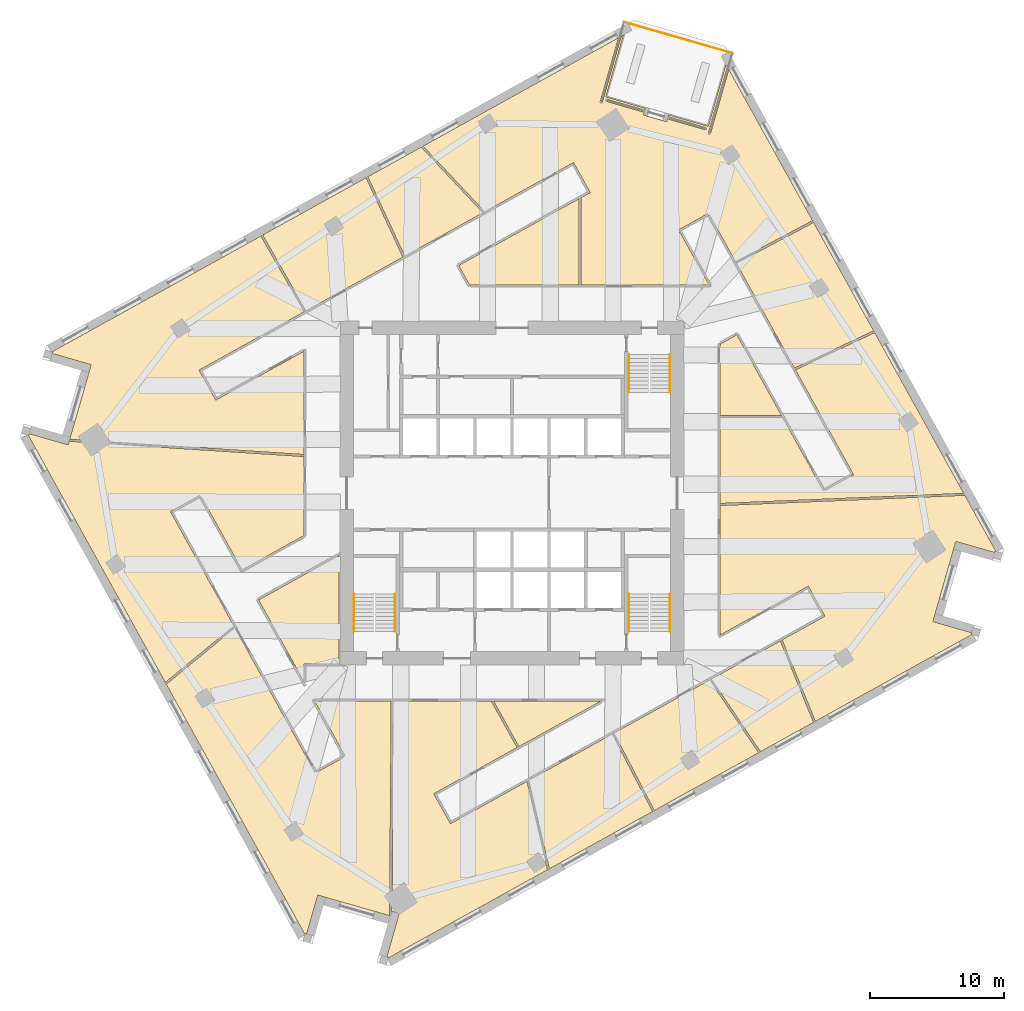
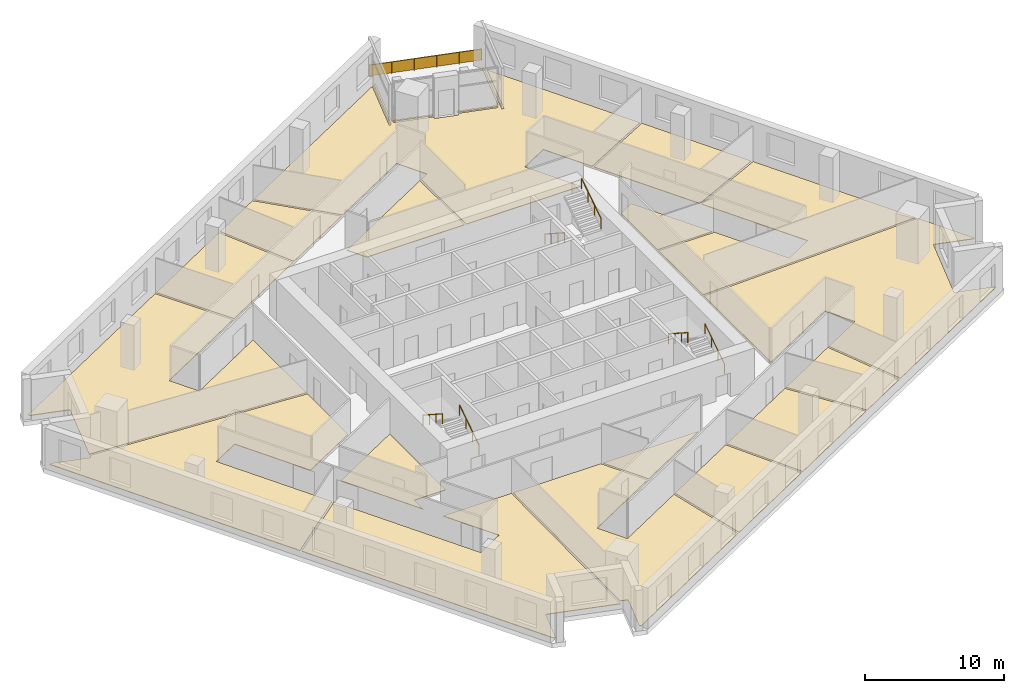
# One storey, part 11 of 12: 17 coverings, 7 railings.
"""IFC4 building model written with IfcOpenShell, lengths in metres."""

import ifcopenshell
import ifcopenshell.guid

model = None  # the IFC model being written
_history = None  # IfcOwnerHistory: only IFC2X3 demands one
_inside = {}  # id of a spatial element -> (the spatial element, [elements in it])
_under = {}  # id of a project, library or spatial element -> (it, [spatial elements below it])
_declared = {}  # id of a project -> (the project, [libraries it declares])
_typed = {}  # id of a type object -> (the type object, [elements of that type])
_made_of = {}  # id of a material, layer set ... -> (it, [elements and type objects made of it])


def new_model(schema):
    """Start an empty IFC model of exactly this schema.

    Asked for "IFC4X3", IfcOpenShell would pick the latest addendum, in which some entities
    have other attributes; the version numbers below select the first issue.
    IFC2X3 requires an IfcOwnerHistory on every rooted entity: one is made here for all.
    """
    global model, _history
    if schema == "IFC4X3":
        model = ifcopenshell.file(schema_version=(4, 3, 0, 0))
    else:
        model = ifcopenshell.file(schema=schema)
    _inside.clear()
    _under.clear()
    _declared.clear()
    _typed.clear()
    _made_of.clear()
    _history = None
    if model.schema == "IFC2X3":
        org = make("IfcOrganization", Name="unknown")
        user = make(
            "IfcPersonAndOrganization",
            ThePerson=make("IfcPerson", FamilyName="unknown"),
            TheOrganization=org,
        )
        app = make(
            "IfcApplication",
            ApplicationDeveloper=org,
            Version="unknown",
            ApplicationFullName="unknown",
            ApplicationIdentifier="unknown",
        )
        _history = make(
            "IfcOwnerHistory",
            OwningUser=user,
            OwningApplication=app,
            ChangeAction="ADDED",
            CreationDate=0,
        )
    return model


def make(cls, **values):
    """One entity of the class cls with the attributes given. An attribute that is None is left unset."""
    return model.create_entity(
        cls, **{name: value for name, value in values.items() if value is not None}
    )


def rooted(cls, **values):
    """An entity with a GlobalId (a new one), such as an element, a storey or a relation."""
    return make(cls, GlobalId=ifcopenshell.guid.new(), OwnerHistory=_history, **values)


def si_unit(unit_type, name, prefix=None):
    """IfcSIUnit, for example si_unit("LENGTHUNIT", "METRE", prefix="MILLI")."""
    return make("IfcSIUnit", UnitType=unit_type, Prefix=prefix, Name=name)


def assignment(units):
    """IfcUnitAssignment: the units of a project."""
    return None if units is None else make("IfcUnitAssignment", Units=units)


def point(xyz):
    """IfcCartesianPoint."""
    return None if xyz is None else make("IfcCartesianPoint", Coordinates=xyz)


def direction(xyz):
    """IfcDirection."""
    return None if xyz is None else make("IfcDirection", DirectionRatios=xyz)


def frame(location, z_axis=None, x_axis=None):
    """IfcAxis2Placement3D, a coordinate frame: its origin and axes. An axis left out is left unset."""
    return make(
        "IfcAxis2Placement3D",
        Location=point(location),
        Axis=direction(z_axis),
        RefDirection=direction(x_axis),
    )


def frame_2d(location, x_axis=None):
    """IfcAxis2Placement2D, a coordinate frame in the plane: its origin and x axis."""
    return make(
        "IfcAxis2Placement2D", Location=point(location), RefDirection=direction(x_axis)
    )


def origin():
    """The frame at (0, 0, 0) with its axes left unset."""
    return frame((0.0, 0.0, 0.0))


def origin_2d():
    """The frame at (0, 0) in the plane with its x axis left unset."""
    return frame_2d((0.0, 0.0))


def place(relative_to, where):
    """IfcLocalPlacement: puts the frame where relative to a parent placement (None: the world)."""
    return make(
        "IfcLocalPlacement", PlacementRelTo=relative_to, RelativePlacement=where
    )


def context(
    kind, dimensions, precision=None, world=None, true_north=None, identifier=None
):
    """IfcGeometricRepresentationContext, for example the 3D "Model" context."""
    return make(
        "IfcGeometricRepresentationContext",
        ContextIdentifier=identifier,
        ContextType=kind,
        CoordinateSpaceDimension=dimensions,
        Precision=precision,
        WorldCoordinateSystem=world,
        TrueNorth=true_north,
    )


def subcontext(parent, identifier, kind, view, scale=None):
    """IfcGeometricRepresentationSubContext, for example "Body" below "Model"."""
    return make(
        "IfcGeometricRepresentationSubContext",
        ContextIdentifier=identifier,
        ContextType=kind,
        ParentContext=parent,
        TargetScale=scale,
        TargetView=view,
    )


def project(units=None, contexts=None):
    """IfcProject with its units and contexts."""
    return rooted(
        "IfcProject",
        Name="project",
        RepresentationContexts=contexts,
        UnitsInContext=assignment(units),
    )


def spatial(cls, under=None, at=None, **own):
    """A site, building, storey or space (cls), placed at a placement, below another one or the project."""
    s = rooted(cls, ObjectPlacement=at, **own)
    if under is not None:
        _under.setdefault(under.id(), (under, []))[1].append(s)
    return s


def polyline(points):
    """IfcPolyline through the points."""
    return make("IfcPolyline", Points=[point(p) for p in points])


def profile(cls, at=None, kind="AREA", **sizes):
    """A parametric profile (cls). Its sizes go by their IFC names, for example OverallWidth=200.0."""
    return make(cls, ProfileType=kind, Position=at, **sizes)


def rectangle(**sizes):
    """IfcRectangleProfileDef."""
    return profile("IfcRectangleProfileDef", **sizes)


def circle(**sizes):
    """IfcCircleProfileDef."""
    return profile("IfcCircleProfileDef", **sizes)


def outline(outer, holes=None, kind="AREA"):
    """IfcArbitraryClosedProfileDef: a profile drawn as a closed curve; with holes, ...WithVoids."""
    if holes is None:
        return make("IfcArbitraryClosedProfileDef", ProfileType=kind, OuterCurve=outer)
    return make(
        "IfcArbitraryProfileDefWithVoids",
        ProfileType=kind,
        OuterCurve=outer,
        InnerCurves=holes,
    )


def extrude(swept, where, along, depth):
    """IfcExtrudedAreaSolid: the profile swept, set in the frame where, extruded along a direction by depth."""
    return make(
        "IfcExtrudedAreaSolid",
        SweptArea=swept,
        Position=where,
        ExtrudedDirection=direction(along),
        Depth=depth,
    )


def shape(context_of_items, identifier, shape_type, items):
    """IfcShapeRepresentation: the items that make up one representation, for example the "Body"."""
    return make(
        "IfcShapeRepresentation",
        ContextOfItems=context_of_items,
        RepresentationIdentifier=identifier,
        RepresentationType=shape_type,
        Items=items,
    )


def material(Name=None, Category=None):
    """IfcMaterial."""
    return make("IfcMaterial", Name=Name, Category=Category)


def layer(
    of_material, thickness, ventilated=None, Name=None, Category=None, Priority=None
):
    """IfcMaterialLayer: one layer of a wall or slab, of a material (None: an air gap)."""
    return make(
        "IfcMaterialLayer",
        Material=of_material,
        LayerThickness=thickness,
        IsVentilated=ventilated,
        Name=Name,
        Category=Category,
        Priority=Priority,
    )


def layer_set(layers, Name=None):
    """IfcMaterialLayerSet."""
    return make("IfcMaterialLayerSet", MaterialLayers=layers, LayerSetName=Name)


def made_of(thing, what):
    """Note that an element or type object is made of a material, layer set ...; save() writes the relation."""
    if what is not None:
        _made_of.setdefault(what.id(), (what, []))[1].append(thing)
    return thing


def type_object(cls, material=None, **own):
    """A type object (cls), such as IfcWallType, which elements share."""
    return made_of(rooted(cls, **own), material)


def element(
    cls,
    number,
    at=None,
    inside=None,
    cuts=None,
    type_object=None,
    material=None,
    context=None,
    identifier="Body",
    shape_type=None,
    held_by="IfcProductDefinitionShape",
    body=None,
    shapes=None,
    **own,
):
    """One element of the class cls, such as IfcWall. Its Tag is "e" and its number.

    at: its placement. inside: the storey or other place that contains it. cuts: it is an
    opening in that element (IfcRelVoidsElement). A single representation is given by context,
    identifier, shape_type and body (its items); several are given by shapes. held_by: the class
    of the entity that holds the representations. save() writes the other relations.
    """
    e = rooted(cls, Tag="e%d" % number, ObjectPlacement=at, **own)
    if body is not None:
        shapes = [shape(context, identifier, shape_type, body)]
    if shapes is not None:
        e.Representation = make(held_by, Representations=shapes)
    if inside is not None:
        _inside.setdefault(inside.id(), (inside, []))[1].append(e)
    if cuts is not None:
        rooted(
            "IfcRelVoidsElement", RelatingBuildingElement=cuts, RelatedOpeningElement=e
        )
    if type_object is not None:
        _typed.setdefault(type_object.id(), (type_object, []))[1].append(e)
    return made_of(e, material)


def aggregate(whole, parts):
    """IfcRelAggregates: a whole, such as a stair, and the parts it consists of."""
    return rooted("IfcRelAggregates", RelatingObject=whole, RelatedObjects=parts)


def save(model, path):
    """Write the relations noted so far, then the file.

    IfcRelAggregates (storeys below a building ...), IfcRelContainedInSpatialStructure (elements
    in a storey), IfcRelDefinesByType, IfcRelAssociatesMaterial and IfcRelDeclares: one each for
    every whole, place, type object, material and project.
    """
    for whole, parts in _under.values():
        aggregate(whole, parts)
    for where, things in _inside.values():
        rooted(
            "IfcRelContainedInSpatialStructure",
            RelatedElements=things,
            RelatingStructure=where,
        )
    for kind, things in _typed.values():
        rooted("IfcRelDefinesByType", RelatedObjects=things, RelatingType=kind)
    for what, things in _made_of.values():
        rooted("IfcRelAssociatesMaterial", RelatedObjects=things, RelatingMaterial=what)
    for by, libraries in _declared.values():
        rooted("IfcRelDeclares", RelatingContext=by, RelatedDefinitions=libraries)
    model.write(path)


model = new_model("IFC4")

# Units and contexts
model_context = context("Model", 3, precision=1e-05, world=origin(), true_north=direction((0.0, 1.0)))
body_context = subcontext(model_context, "Body", "Model", "MODEL_VIEW")
ifc_project = project(units=[si_unit("LENGTHUNIT", "METRE"), si_unit("AREAUNIT", "SQUARE_METRE"), si_unit("VOLUMEUNIT", "CUBIC_METRE"), si_unit("PLANEANGLEUNIT", "RADIAN"), si_unit("MASSUNIT", "GRAM", prefix="KILO")], contexts=[model_context])

# Site, building, storey
site_placement = place(None, origin())
site = spatial("IfcSite", under=ifc_project, at=site_placement, CompositionType="ELEMENT")
building_placement = place(site_placement, origin())
building = spatial("IfcBuilding", under=site, at=building_placement, Name="Dilmun Exchange Tower", CompositionType="ELEMENT")
storey_placement = place(building_placement, frame((0.0, 0.0, 139.699951171875)))
storey = spatial("IfcBuildingStorey", under=building, at=storey_placement, Name="L32", CompositionType="ELEMENT", Elevation=139.699951171875)

# Coverings
ifc_material_1 = material(Name="Carpet floor finish 50")
ifc_layer_1 = layer(ifc_material_1, 0.050048828125)
ifc_layer_set_1 = layer_set([ifc_layer_1], Name="Carpet floor finish 50")
covering_type_1 = type_object("IfcCoveringType", Name="Carpet floor finish 50", PredefinedType="FLOORING", material=ifc_layer_set_1)
covering_1_placement = place(storey_placement, origin())
element("IfcCovering", 1, at=covering_1_placement, inside=storey, type_object=covering_type_1, Name="Carpet floor finish 50 Open office 1", PredefinedType="FLOORING", context=body_context, shape_type="SweptSolid", body=[
    extrude(outline(polyline([(-15.47509765625, 2.724365234375), (-15.47509765625, -3.157470703125), (-20.093017578125, -5.71728515625), (-23.18701171875, -0.135498046875), (-25.4169921875, -1.371337890625), (-20.697265625, -9.886474609375), (-25.802001953125, -14.09033203125), (-36.01611328125, 4.33642578125), (-35.947998046875, 4.31689453125), (-35.94775390625, 4.31689453125), (-35.947509765625, 4.31689453125), (-35.947509765625, 4.31689453125), (-35.947265625, 4.31689453125), (-35.947021484375, 4.31689453125), (-35.94677734375, 4.31689453125), (-35.946533203125, 4.31689453125), (-35.946533203125, 4.317138671875), (-35.9462890625, 4.317138671875), (-35.946044921875, 4.3173828125), (-35.946044921875, 4.3173828125), (-35.94580078125, 4.317626953125), (-35.94580078125, 4.31787109375), (-35.94580078125, 4.31787109375), (-35.945556640625, 4.318115234375), (-35.945556640625, 4.318359375), (-35.915283203125, 4.42333984375), (-33.033447265625, 3.596923828125), (-33.033203125, 3.596923828125), (-33.033203125, 3.596923828125), (-33.032958984375, 3.596923828125), (-33.03271484375, 3.596923828125), (-33.032470703125, 3.596923828125), (-33.0322265625, 3.596923828125), (-33.031982421875, 3.59716796875), (-33.031982421875, 3.59716796875), (-33.03173828125, 3.597412109375), (-33.031494140625, 3.597412109375), (-33.031494140625, 3.597412109375), (-33.03125, 3.59765625), (-33.03125, 3.597900390625), (-33.031005859375, 3.597900390625), (-33.031005859375, 3.59814453125), (-33.031005859375, 3.598388671875), (-32.9560546875, 3.85986328125), (-15.47509765625, 2.724365234375)])), origin(), (0.0, 0.0, 1.0), 0.050048828125),
])
covering_2_placement = place(storey_placement, origin())
element("IfcCovering", 2, at=covering_2_placement, inside=storey, type_object=covering_type_1, Name="Carpet floor finish 50 Analyst office 1", PredefinedType="FLOORING", context=body_context, shape_type="SweptSolid", body=[
    extrude(outline(polyline([(-15.459228515625, 13.4921875), (-23.288818359375, 9.152099609375), (-22.052490234375, 6.921875), (-15.47509765625, 10.568115234375), (-15.47509765625, 2.87451171875), (-32.91357421875, 4.007568359375), (-32.865478515625, 4.175048828125), (-32.865478515625, 4.17529296875), (-32.865478515625, 4.17529296875), (-31.4873046875, 8.9814453125), (-31.4873046875, 8.981689453125), (-31.4873046875, 8.981689453125), (-31.4873046875, 8.98193359375), (-31.322021484375, 9.55810546875), (-31.322021484375, 9.558349609375), (-31.322021484375, 9.55859375), (-31.322021484375, 9.558837890625), (-31.322021484375, 9.55908203125), (-31.322021484375, 9.55908203125), (-31.322021484375, 9.559326171875), (-31.322265625, 9.5595703125), (-31.322265625, 9.559814453125), (-31.322509765625, 9.559814453125), (-31.322509765625, 9.56005859375), (-31.322509765625, 9.560302734375), (-31.32275390625, 9.560302734375), (-31.322998046875, 9.560546875), (-31.322998046875, 9.560546875), (-31.3232421875, 9.560546875), (-31.323486328125, 9.560791015625), (-34.205322265625, 10.386962890625), (-34.17529296875, 10.4921875), (-34.17529296875, 10.4921875), (-34.175048828125, 10.492431640625), (-34.175048828125, 10.49267578125), (-34.175048828125, 10.492919921875), (-34.17529296875, 10.492919921875), (-34.17529296875, 10.4931640625), (-34.17529296875, 10.493408203125), (-34.17529296875, 10.49365234375), (-34.175537109375, 10.49365234375), (-34.175537109375, 10.493896484375), (-34.17578125, 10.493896484375), (-34.17578125, 10.494140625), (-34.176025390625, 10.494384765625), (-34.17626953125, 10.494384765625), (-34.176513671875, 10.494384765625), (-34.176513671875, 10.494384765625), (-34.24462890625, 10.51416015625), (-18.68798828125, 19.13720703125), (-15.459228515625, 13.4921875)])), origin(), (0.0, 0.0, 1.0), 0.050048828125),
])
covering_3_placement = place(storey_placement, origin())
element("IfcCovering", 3, at=covering_3_placement, inside=storey, type_object=covering_type_1, Name="Carpet floor finish 50 Analyst office 2", PredefinedType="FLOORING", context=body_context, shape_type="SweptSolid", body=[
    extrude(outline(polyline([(-14.68408203125, -15.47509765625), (-8.986572265625, -15.47509765625), (-9.112060546875, -31.449951171875), (-13.875, -30.084228515625), (-13.875244140625, -30.083984375), (-13.87548828125, -30.083984375), (-14.4521484375, -29.918701171875), (-14.452392578125, -29.918701171875), (-14.452392578125, -29.918701171875), (-14.45263671875, -29.918701171875), (-14.452880859375, -29.918701171875), (-14.453125, -29.918701171875), (-14.453369140625, -29.918701171875), (-14.45361328125, -29.918701171875), (-14.45361328125, -29.9189453125), (-14.453857421875, -29.9189453125), (-14.4541015625, -29.919189453125), (-14.4541015625, -29.919189453125), (-14.4541015625, -29.91943359375), (-14.454345703125, -29.91943359375), (-14.45458984375, -29.919677734375), (-14.45458984375, -29.919921875), (-14.45458984375, -29.920166015625), (-15.281005859375, -32.802001953125), (-15.385986328125, -32.77197265625), (-15.38623046875, -32.771728515625), (-15.386474609375, -32.771728515625), (-15.38671875, -32.771728515625), (-15.386962890625, -32.771728515625), (-15.386962890625, -32.77197265625), (-15.38720703125, -32.77197265625), (-15.387451171875, -32.77197265625), (-15.3876953125, -32.772216796875), (-15.3876953125, -32.772216796875), (-15.387939453125, -32.772216796875), (-15.38818359375, -32.7724609375), (-15.38818359375, -32.772705078125), (-15.38818359375, -32.772705078125), (-15.388427734375, -32.77294921875), (-15.388427734375, -32.773193359375), (-15.388671875, -32.773193359375), (-15.408203125, -32.84130859375), (-25.72802734375, -14.2236328125), (-20.623291015625, -10.02001953125), (-14.632080078125, -20.828369140625), (-12.40185546875, -19.592041015625), (-14.68408203125, -15.47509765625)])), origin(), (0.0, 0.0, 1.0), 0.050048828125),
])
covering_4_placement = place(storey_placement, origin())
element("IfcCovering", 4, at=covering_4_placement, inside=storey, type_object=covering_type_1, Name="Carpet floor finish 50 Meeting room 1", PredefinedType="FLOORING", context=body_context, shape_type="SweptSolid", body=[
    extrude(outline(polyline([(-12.875, -4.6318359375), (-12.875, -12.724853515625), (-15.474609375, -12.72509765625), (-15.47509765625, -14.048095703125), (-18.856689453125, -7.947509765625), (-12.875, -4.6318359375)])), origin(), (0.0, 0.0, 1.0), 0.050048828125),
])
covering_5_placement = place(storey_placement, origin())
element("IfcCovering", 5, at=covering_5_placement, inside=storey, type_object=covering_type_1, Name="Carpet floor finish 50 Break-out lounge 1", PredefinedType="FLOORING", context=body_context, shape_type="SweptSolid", body=[
    extrude(outline(polyline([(-8.11376953125, 17.56396484375), (-15.328125, 13.56494140625), (-18.556884765625, 19.2099609375), (-10.860595703125, 23.476318359375), (-8.11376953125, 17.56396484375)])), origin(), (0.0, 0.0, 1.0), 0.050048828125),
])
covering_6_placement = place(storey_placement, origin())
element("IfcCovering", 6, at=covering_6_placement, inside=storey, type_object=covering_type_1, Name="Carpet floor finish 50 Open office 2", PredefinedType="FLOORING", context=body_context, shape_type="SweptSolid", body=[
    extrude(outline(polyline([(-8.836669921875, -15.47509765625), (-1.54052734375, -15.47509765625), (0.3779296875, -18.936279296875), (-5.81591796875, -22.3701171875), (-4.579345703125, -24.599853515625), (1.1162109375, -21.442626953125), (2.647216796875, -28.02880859375), (-9.23046875, -34.61279296875), (-9.2109375, -34.544677734375), (-9.2109375, -34.54443359375), (-9.210693359375, -34.544189453125), (-9.210693359375, -34.5439453125), (-9.210693359375, -34.543701171875), (-9.2109375, -34.543701171875), (-9.2109375, -34.54345703125), (-9.2109375, -34.543212890625), (-9.211181640625, -34.54296875), (-9.211181640625, -34.54296875), (-9.211181640625, -34.542724609375), (-9.21142578125, -34.54248046875), (-9.211669921875, -34.54248046875), (-9.211669921875, -34.542236328125), (-9.2119140625, -34.542236328125), (-9.212158203125, -34.542236328125), (-9.21240234375, -34.5419921875), (-9.3173828125, -34.511962890625), (-8.392822265625, -31.288330078125), (-8.392822265625, -31.2880859375), (-8.392822265625, -31.2880859375), (-8.392822265625, -31.287841796875), (-8.392822265625, -31.28759765625), (-8.392822265625, -31.287353515625), (-8.392822265625, -31.287109375), (-8.39306640625, -31.287109375), (-8.39306640625, -31.286865234375), (-8.393310546875, -31.28662109375), (-8.393310546875, -31.28662109375), (-8.393310546875, -31.286376953125), (-8.3935546875, -31.2861328125), (-8.393798828125, -31.2861328125), (-8.393798828125, -31.285888671875), (-8.39404296875, -31.285888671875), (-8.394287109375, -31.285888671875), (-8.959716796875, -31.123779296875), (-8.836669921875, -15.47509765625)])), origin(), (0.0, 0.0, 1.0), 0.050048828125),
])
covering_7_placement = place(storey_placement, origin())
element("IfcCovering", 7, at=covering_7_placement, inside=storey, type_object=covering_type_1, Name="Carpet floor finish 50 Meeting room 2", PredefinedType="FLOORING", context=body_context, shape_type="SweptSolid", body=[
    extrude(outline(polyline([(-1.369140625, -15.47509765625), (6.62255859375, -15.47509765625), (0.50927734375, -18.863525390625), (-1.369140625, -15.47509765625)])), origin(), (0.0, 0.0, 1.0), 0.050048828125),
])
covering_8_placement = place(storey_placement, origin())
element("IfcCovering", 8, at=covering_8_placement, inside=storey, type_object=covering_type_1, Name="Carpet floor finish 50 Break-out lounge 2", PredefinedType="FLOORING", context=body_context, shape_type="SweptSolid", body=[
    extrude(outline(polyline([(7.4580078125, -17.927490234375), (10.466796875, -23.6943359375), (2.78369140625, -27.953125), (1.252685546875, -21.3671875), (7.4580078125, -17.927490234375)])), origin(), (0.0, 0.0, 1.0), 0.050048828125),
])
covering_9_placement = place(storey_placement, origin())
element("IfcCovering", 9, at=covering_9_placement, inside=storey, type_object=covering_type_1, Name="Carpet floor finish 50 Garden lounge", PredefinedType="FLOORING", context=body_context, shape_type="SweptSolid", body=[
    extrude(outline(polyline([(14.632080078125, 20.828369140625), (12.40185546875, 19.592041015625), (14.68408203125, 15.47509765625), (5.120361328125, 15.47509765625), (5.120361328125, 21.984130859375), (5.81591796875, 22.36962890625), (4.57958984375, 24.60009765625), (-2.021240234375, 20.94091796875), (-6.622802734375, 25.8251953125), (7.922119140625, 33.887451171875), (6.540283203125, 29.068603515625), (6.540283203125, 29.068359375), (6.540283203125, 29.068115234375), (6.540283203125, 29.068115234375), (6.540283203125, 29.06787109375), (6.540283203125, 29.067626953125), (6.540283203125, 29.0673828125), (6.540283203125, 29.0673828125), (6.540283203125, 29.067138671875), (6.54052734375, 29.06689453125), (6.540771484375, 29.06689453125), (6.540771484375, 29.066650390625), (6.541015625, 29.06640625), (6.541015625, 29.06640625), (6.541259765625, 29.06640625), (6.54150390625, 29.066162109375), (6.54150390625, 29.066162109375), (6.6953125, 29.02197265625), (6.695556640625, 29.02197265625), (6.69580078125, 29.02197265625), (6.696044921875, 29.02197265625), (6.6962890625, 29.02197265625), (6.6962890625, 29.02197265625), (6.696533203125, 29.02197265625), (6.69677734375, 29.022216796875), (6.697021484375, 29.022216796875), (6.697021484375, 29.022216796875), (6.697265625, 29.0224609375), (6.697509765625, 29.022705078125), (6.697509765625, 29.022705078125), (6.69775390625, 29.02294921875), (6.69775390625, 29.02294921875), (6.697998046875, 29.023193359375), (6.697998046875, 29.0234375), (8.125, 34.0), (8.3017578125, 34.097900390625), (6.97998046875, 29.48876953125), (9.923583984375, 28.64453125), (9.884033203125, 28.507080078125), (7.0126953125, 29.33056640625), (7.012451171875, 29.33056640625), (7.01220703125, 29.33056640625), (7.01220703125, 29.33056640625), (7.011962890625, 29.33056640625), (7.01171875, 29.33056640625), (7.011474609375, 29.33056640625), (7.011474609375, 29.330322265625), (7.01123046875, 29.330322265625), (7.010986328125, 29.330078125), (7.010986328125, 29.330078125), (7.0107421875, 29.330078125), (7.010498046875, 29.329833984375), (7.010498046875, 29.32958984375), (7.010498046875, 29.32958984375), (7.01025390625, 29.329345703125), (7.01025390625, 29.3291015625), (6.966064453125, 29.17529296875), (6.966064453125, 29.17529296875), (6.966064453125, 29.175048828125), (6.966064453125, 29.1748046875), (6.966064453125, 29.174560546875), (6.966064453125, 29.17431640625), (6.966064453125, 29.17431640625), (6.96630859375, 29.174072265625), (6.96630859375, 29.173828125), (6.96630859375, 29.173583984375), (6.966552734375, 29.173583984375), (6.966796875, 29.17333984375), (6.966796875, 29.173095703125), (6.967041015625, 29.173095703125), (6.967041015625, 29.173095703125), (6.96728515625, 29.1728515625), (6.967529296875, 29.1728515625), (9.8388671875, 28.349609375), (9.77880859375, 28.139892578125), (9.77880859375, 28.139892578125), (9.77880859375, 28.1396484375), (9.77880859375, 28.139404296875), (9.77880859375, 28.13916015625), (9.77880859375, 28.138916015625), (9.77880859375, 28.138916015625), (9.77880859375, 28.138671875), (9.779052734375, 28.138427734375), (9.779052734375, 28.13818359375), (9.779296875, 28.13818359375), (9.779296875, 28.137939453125), (9.779541015625, 28.137939453125), (9.779541015625, 28.1376953125), (9.77978515625, 28.1376953125), (9.780029296875, 28.1376953125), (9.7802734375, 28.137451171875), (11.510498046875, 27.641357421875), (11.5107421875, 27.641357421875), (11.510986328125, 27.641357421875), (11.510986328125, 27.641357421875), (11.51123046875, 27.641357421875), (11.511474609375, 27.641357421875), (11.51171875, 27.641357421875), (11.51171875, 27.6416015625), (11.511962890625, 27.6416015625), (11.51220703125, 27.6416015625), (11.51220703125, 27.641845703125), (11.512451171875, 27.641845703125), (11.5126953125, 27.64208984375), (11.5126953125, 27.64208984375), (11.5126953125, 27.642333984375), (11.512939453125, 27.642578125), (11.512939453125, 27.642822265625), (11.572998046875, 27.852294921875), (14.4443359375, 27.02880859375), (14.444580078125, 27.02880859375), (14.44482421875, 27.02880859375), (14.445068359375, 27.02880859375), (14.4453125, 27.02880859375), (14.4453125, 27.02880859375), (14.445556640625, 27.02880859375), (14.44580078125, 27.029052734375), (14.44580078125, 27.029052734375), (14.446044921875, 27.029296875), (14.4462890625, 27.029296875), (14.4462890625, 27.029296875), (14.446533203125, 27.029541015625), (14.446533203125, 27.02978515625), (14.44677734375, 27.02978515625), (14.44677734375, 27.030029296875), (14.447021484375, 27.0302734375), (14.490966796875, 27.18408203125), (14.490966796875, 27.18408203125), (14.490966796875, 27.184326171875), (14.4912109375, 27.1845703125), (14.490966796875, 27.184814453125), (14.490966796875, 27.18505859375), (14.490966796875, 27.185302734375), (14.490966796875, 27.185302734375), (14.49072265625, 27.185546875), (14.49072265625, 27.185791015625), (14.490478515625, 27.185791015625), (14.490478515625, 27.18603515625), (14.490234375, 27.186279296875), (14.489990234375, 27.186279296875), (14.489990234375, 27.186279296875), (14.48974609375, 27.1865234375), (14.489501953125, 27.1865234375), (11.6181640625, 28.010009765625), (11.65771484375, 28.1474609375), (14.60107421875, 27.303466796875), (15.9228515625, 31.91259765625), (16.02099609375, 31.73583984375), (14.593994140625, 26.75927734375), (14.59375, 26.759033203125), (14.59375, 26.7587890625), (14.59375, 26.7587890625), (14.59375, 26.758544921875), (14.59375, 26.75830078125), (14.593994140625, 26.758056640625), (14.593994140625, 26.758056640625), (14.593994140625, 26.7578125), (14.59423828125, 26.757568359375), (14.59423828125, 26.757568359375), (14.594482421875, 26.75732421875), (14.594482421875, 26.757080078125), (14.5947265625, 26.757080078125), (14.594970703125, 26.757080078125), (14.59521484375, 26.7568359375), (14.59521484375, 26.7568359375), (14.7490234375, 26.712646484375), (14.749267578125, 26.712646484375), (14.74951171875, 26.712646484375), (14.74951171875, 26.712646484375), (14.749755859375, 26.712646484375), (14.75, 26.712646484375), (14.750244140625, 26.712646484375), (14.75048828125, 26.712890625), (14.75048828125, 26.712890625), (14.750732421875, 26.712890625), (14.7509765625, 26.713134765625), (14.7509765625, 26.71337890625), (14.751220703125, 26.71337890625), (14.751220703125, 26.713623046875), (14.75146484375, 26.713623046875), (14.75146484375, 26.7138671875), (14.75146484375, 26.714111328125), (16.13330078125, 31.532958984375), (22.373291015625, 20.275390625), (16.62451171875, 17.234130859375), (14.632080078125, 20.828369140625)])), origin(), (0.0, 0.0, 1.0), 0.050048828125),
])
covering_10_placement = place(storey_placement, origin())
element("IfcCovering", 10, at=covering_10_placement, inside=storey, type_object=covering_type_1, Name="Carpet floor finish 50 Break-out lounge 3", PredefinedType="FLOORING", context=body_context, shape_type="SweptSolid", body=[
    extrude(outline(polyline([(7.589111328125, -17.854736328125), (14.709228515625, -13.907958984375), (18.359375, -19.319580078125), (10.597900390625, -23.62158203125), (7.589111328125, -17.854736328125)])), origin(), (0.0, 0.0, 1.0), 0.050048828125),
])
covering_11_placement = place(storey_placement, origin())
element("IfcCovering", 11, at=covering_11_placement, inside=storey, type_object=covering_type_1, Name="Carpet floor finish 50 Meeting room 3", PredefinedType="FLOORING", context=body_context, shape_type="SweptSolid", body=[
    extrude(outline(polyline([(15.47509765625, 11.082763671875), (16.732421875, 11.77978515625), (20.052001953125, 5.790771484375), (15.47509765625, 5.790771484375), (15.47509765625, 11.082763671875)])), origin(), (0.0, 0.0, 1.0), 0.050048828125),
])
covering_12_placement = place(storey_placement, origin())
element("IfcCovering", 12, at=covering_12_placement, inside=storey, type_object=covering_type_1, Name="Carpet floor finish 50 Break-out lounge 4", PredefinedType="FLOORING", context=body_context, shape_type="SweptSolid", body=[
    extrude(outline(polyline([(16.697265625, 17.102783203125), (22.4462890625, 20.144287109375), (26.9169921875, 12.07861328125), (21.01904296875, 9.306396484375), (16.697265625, 17.102783203125)])), origin(), (0.0, 0.0, 1.0), 0.050048828125),
])
covering_13_placement = place(storey_placement, origin())
element("IfcCovering", 13, at=covering_13_placement, inside=storey, type_object=covering_type_1, Name="Carpet floor finish 50 Open office 3", PredefinedType="FLOORING", context=body_context, shape_type="SweptSolid", body=[
    extrude(outline(polyline([(20.10205078125, -10.918701171875), (23.288818359375, -9.152099609375), (22.052490234375, -6.921875), (15.47509765625, -10.568115234375), (15.47509765625, -0.920166015625), (33.70263671875, -0.1630859375), (36.01611328125, -4.33642578125), (35.947998046875, -4.31689453125), (35.94775390625, -4.31689453125), (35.947509765625, -4.31689453125), (35.947509765625, -4.31689453125), (35.947265625, -4.31689453125), (35.947021484375, -4.31689453125), (35.94677734375, -4.31689453125), (35.946533203125, -4.31689453125), (35.946533203125, -4.317138671875), (35.9462890625, -4.317138671875), (35.946044921875, -4.3173828125), (35.946044921875, -4.3173828125), (35.94580078125, -4.317626953125), (35.94580078125, -4.31787109375), (35.94580078125, -4.31787109375), (35.945556640625, -4.318115234375), (35.945556640625, -4.318359375), (35.915283203125, -4.42333984375), (33.033447265625, -3.596923828125), (33.033203125, -3.596923828125), (33.033203125, -3.596923828125), (33.032958984375, -3.596923828125), (33.03271484375, -3.596923828125), (33.032470703125, -3.596923828125), (33.0322265625, -3.596923828125), (33.031982421875, -3.59716796875), (33.031982421875, -3.59716796875), (33.03173828125, -3.597412109375), (33.031494140625, -3.597412109375), (33.031494140625, -3.597412109375), (33.03125, -3.59765625), (33.03125, -3.597900390625), (33.031005859375, -3.597900390625), (33.031005859375, -3.59814453125), (33.031005859375, -3.598388671875), (32.865478515625, -4.175048828125), (32.865478515625, -4.17529296875), (32.865478515625, -4.17529296875), (31.4873046875, -8.9814453125), (31.4873046875, -8.981689453125), (31.4873046875, -8.981689453125), (31.4873046875, -8.98193359375), (31.322021484375, -9.55810546875), (31.322021484375, -9.558349609375), (31.322021484375, -9.55859375), (31.322021484375, -9.558837890625), (31.322021484375, -9.55908203125), (31.322021484375, -9.55908203125), (31.322021484375, -9.559326171875), (31.322265625, -9.5595703125), (31.322265625, -9.559814453125), (31.322509765625, -9.559814453125), (31.322509765625, -9.56005859375), (31.322509765625, -9.560302734375), (31.32275390625, -9.560302734375), (31.322998046875, -9.560546875), (31.322998046875, -9.560546875), (31.3232421875, -9.560546875), (31.323486328125, -9.560791015625), (34.205322265625, -10.386962890625), (34.17529296875, -10.4921875), (34.17529296875, -10.4921875), (34.175048828125, -10.492431640625), (34.175048828125, -10.49267578125), (34.175048828125, -10.492919921875), (34.17529296875, -10.492919921875), (34.17529296875, -10.4931640625), (34.17529296875, -10.493408203125), (34.17529296875, -10.49365234375), (34.175537109375, -10.49365234375), (34.175537109375, -10.493896484375), (34.17578125, -10.493896484375), (34.17578125, -10.494140625), (34.176025390625, -10.494384765625), (34.17626953125, -10.494384765625), (34.176513671875, -10.494384765625), (34.176513671875, -10.494384765625), (34.24462890625, -10.51416015625), (22.57373046875, -16.9833984375), (20.10205078125, -10.918701171875)])), origin(), (0.0, 0.0, 1.0), 0.050048828125),
])

# Railings
ifc_material_2 = material(Name="Stainless steel", Category="steel")
railing_type_1 = type_object("IfcRailingType", Name="Stair handrail 900", PredefinedType="HANDRAIL", material=ifc_material_2)
railing_1_placement = place(storey_placement, frame((8.699951171875, 10.300048828125, 0.181884765625)))
element("IfcRailing", 14, at=railing_1_placement, inside=storey, type_object=railing_type_1, Name="L32 ST1 stair handrail 1", PredefinedType="HANDRAIL", context=body_context, shape_type="SweptSolid", body=[
    extrude(circle(Radius=0.02392578125, at=origin_2d()), frame((0.0, 0.0, 0.8759765625), z_axis=(0.0, -0.838705829183, 0.544584733623), x_axis=(1.0, 0.0, 0.0)), (0.0, 0.0, 1.0), 3.338623046875),
    extrude(circle(Radius=0.02099609375, at=origin_2d()), origin(), (0.0, 0.0, 1.0), 0.851806640625),
    extrude(circle(Radius=0.02099609375, at=origin_2d()), frame((0.0, -0.933349609375, 0.60595703125)), (0.0, 0.0, 1.0), 0.851806640625),
    extrude(circle(Radius=0.02099609375, at=origin_2d()), frame((0.0, -1.86669921875, 1.212158203125)), (0.0, 0.0, 1.0), 0.851806640625),
    extrude(circle(Radius=0.02099609375, at=origin_2d()), frame((0.0, -2.800048828125, 1.818115234375)), (0.0, 0.0, 1.0), 0.851806640625),
])
for number, where, name in (
    (15, (11.75, 7.5, 2.181884765625), "L32 ST1 stair handrail 2"),
    (16, (-8.699951171875, -10.300048828125, 0.181884765625), "L32 ST2 stair handrail 1"),
):
    element("IfcRailing", number, at=place(storey_placement, frame(where)), inside=storey, type_object=railing_type_1, Name=name, PredefinedType="HANDRAIL", context=body_context, shape_type="SweptSolid", body=[
        extrude(circle(Radius=0.02392578125, at=origin_2d()), frame((0.0, 0.0, 0.8759765625), z_axis=(0.0, 0.838705829183, 0.544584733623), x_axis=(-1.0, 0.0, 0.0)), (0.0, 0.0, 1.0), 3.338623046875),
        extrude(circle(Radius=0.02099609375, at=origin_2d()), origin(), (0.0, 0.0, 1.0), 0.851806640625),
        extrude(circle(Radius=0.02099609375, at=origin_2d()), frame((0.0, 0.933349609375, 0.60595703125)), (0.0, 0.0, 1.0), 0.851806640625),
        extrude(circle(Radius=0.02099609375, at=origin_2d()), frame((0.0, 1.86669921875, 1.212158203125)), (0.0, 0.0, 1.0), 0.851806640625),
        extrude(circle(Radius=0.02099609375, at=origin_2d()), frame((0.0, 2.800048828125, 1.818115234375)), (0.0, 0.0, 1.0), 0.851806640625),
    ])
railing_2_placement = place(storey_placement, frame((-11.75, -7.5, 2.181884765625)))
element("IfcRailing", 17, at=railing_2_placement, inside=storey, type_object=railing_type_1, Name="L32 ST2 stair handrail 2", PredefinedType="HANDRAIL", context=body_context, shape_type="SweptSolid", body=[
    extrude(circle(Radius=0.02392578125, at=origin_2d()), frame((0.0, 0.0, 0.8759765625), z_axis=(0.0, -0.838705829183, 0.544584733623), x_axis=(1.0, 0.0, 0.0)), (0.0, 0.0, 1.0), 3.338623046875),
    extrude(circle(Radius=0.02099609375, at=origin_2d()), origin(), (0.0, 0.0, 1.0), 0.851806640625),
    extrude(circle(Radius=0.02099609375, at=origin_2d()), frame((0.0, -0.933349609375, 0.60595703125)), (0.0, 0.0, 1.0), 0.851806640625),
    extrude(circle(Radius=0.02099609375, at=origin_2d()), frame((0.0, -1.86669921875, 1.212158203125)), (0.0, 0.0, 1.0), 0.851806640625),
    extrude(circle(Radius=0.02099609375, at=origin_2d()), frame((0.0, -2.800048828125, 1.818115234375)), (0.0, 0.0, 1.0), 0.851806640625),
])
railing_3_placement = place(storey_placement, frame((11.75, -10.300048828125, 0.181884765625)))
element("IfcRailing", 18, at=railing_3_placement, inside=storey, type_object=railing_type_1, Name="L32 ST3 stair handrail 1", PredefinedType="HANDRAIL", context=body_context, shape_type="SweptSolid", body=[
    extrude(circle(Radius=0.02392578125, at=origin_2d()), frame((0.0, 0.0, 0.8759765625), z_axis=(0.0, 0.838705829183, 0.544584733623), x_axis=(-1.0, 0.0, 0.0)), (0.0, 0.0, 1.0), 3.338623046875),
    extrude(circle(Radius=0.02099609375, at=origin_2d()), origin(), (0.0, 0.0, 1.0), 0.851806640625),
    extrude(circle(Radius=0.02099609375, at=origin_2d()), frame((0.0, 0.933349609375, 0.60595703125)), (0.0, 0.0, 1.0), 0.851806640625),
    extrude(circle(Radius=0.02099609375, at=origin_2d()), frame((0.0, 1.86669921875, 1.212158203125)), (0.0, 0.0, 1.0), 0.851806640625),
    extrude(circle(Radius=0.02099609375, at=origin_2d()), frame((0.0, 2.800048828125, 1.818115234375)), (0.0, 0.0, 1.0), 0.851806640625),
])
railing_4_placement = place(storey_placement, frame((8.699951171875, -7.5, 2.181884765625)))
element("IfcRailing", 19, at=railing_4_placement, inside=storey, type_object=railing_type_1, Name="L32 ST3 stair handrail 2", PredefinedType="HANDRAIL", context=body_context, shape_type="SweptSolid", body=[
    extrude(circle(Radius=0.02392578125, at=origin_2d()), frame((0.0, 0.0, 0.8759765625), z_axis=(0.0, -0.838705829183, 0.544584733623), x_axis=(1.0, 0.0, 0.0)), (0.0, 0.0, 1.0), 3.338623046875),
    extrude(circle(Radius=0.02099609375, at=origin_2d()), origin(), (0.0, 0.0, 1.0), 0.851806640625),
    extrude(circle(Radius=0.02099609375, at=origin_2d()), frame((0.0, -0.933349609375, 0.60595703125)), (0.0, 0.0, 1.0), 0.851806640625),
    extrude(circle(Radius=0.02099609375, at=origin_2d()), frame((0.0, -1.86669921875, 1.212158203125)), (0.0, 0.0, 1.0), 0.851806640625),
    extrude(circle(Radius=0.02099609375, at=origin_2d()), frame((0.0, -2.800048828125, 1.818115234375)), (0.0, 0.0, 1.0), 0.851806640625),
])

# Covering
ifc_material_3 = material(Name="Stone floor finish 50", Category="masonry")
ifc_layer_2 = layer(ifc_material_3, 0.050048828125)
ifc_layer_set_2 = layer_set([ifc_layer_2], Name="Stone floor finish 50")
covering_type_2 = type_object("IfcCoveringType", Name="Stone floor finish 50", PredefinedType="FLOORING", material=ifc_layer_set_2)
covering_14_placement = place(storey_placement, origin())
element("IfcCovering", 20, at=covering_14_placement, inside=storey, type_object=covering_type_2, Name="Stone floor finish 50 Reception", PredefinedType="FLOORING", context=body_context, shape_type="SweptSolid", body=[
    extrude(outline(polyline([(25.417236328125, 1.37158203125), (21.091796875, 9.1748046875), (26.989990234375, 11.947265625), (33.621337890625, -0.01611328125), (15.47509765625, -0.77001953125), (15.47509765625, 5.640625), (20.13525390625, 5.640625), (23.18701171875, 0.13525390625), (25.417236328125, 1.37158203125)])), origin(), (0.0, 0.0, 1.0), 0.050048828125),
])

# Railing
railing_type_2 = type_object("IfcRailingType", Name="Terrace guard 1100 stainless steel", PredefinedType="GUARDRAIL", material=ifc_material_2)
railing_5_placement = place(storey_placement, frame((8.3408203125, 35.050537109375, 0.0)))
element("IfcRailing", 21, at=railing_5_placement, inside=storey, type_object=railing_type_2, Name="Terrace guard 1", PredefinedType="GUARDRAIL", context=body_context, shape_type="SweptSolid", body=[
    extrude(circle(Radius=0.02392578125, at=origin_2d()), frame((0.0, 0.0, 1.076171875), z_axis=(0.961260692501, -0.275640855196, 0.0), x_axis=(0.275640855196, 0.961260692501, 0.0)), (0.0, 0.0, 1.0), 8.3779296875),
    extrude(rectangle(XDim=0.011962890625, YDim=0.951904296875, at=origin_2d()), frame((0.0, 0.0, 0.576171875), z_axis=(0.961260692501, -0.275640855196, 0.0), x_axis=(0.275640855196, 0.961260692501, 0.0)), (0.0, 0.0, 1.0), 8.3779296875),
    extrude(circle(Radius=0.02099609375, at=origin_2d()), origin(), (0.0, 0.0, 1.0), 1.052001953125),
    extrude(circle(Radius=0.02099609375, at=origin_2d()), frame((1.610595703125, -0.4619140625, 0.0)), (0.0, 0.0, 1.0), 1.052001953125),
    extrude(circle(Radius=0.02099609375, at=origin_2d()), frame((3.221435546875, -0.923828125, 0.0)), (0.0, 0.0, 1.0), 1.052001953125),
    extrude(circle(Radius=0.02099609375, at=origin_2d()), frame((4.83203125, -1.385498046875, 0.0)), (0.0, 0.0, 1.0), 1.052001953125),
    extrude(circle(Radius=0.02099609375, at=origin_2d()), frame((6.44287109375, -1.847412109375, 0.0)), (0.0, 0.0, 1.0), 1.052001953125),
    extrude(circle(Radius=0.02099609375, at=origin_2d()), frame((8.053466796875, -2.309326171875, 0.0)), (0.0, 0.0, 1.0), 1.052001953125),
])

# Coverings
ifc_material_4 = material(Name="Tile floor finish 50")
ifc_layer_3 = layer(ifc_material_4, 0.050048828125)
ifc_layer_set_3 = layer_set([ifc_layer_3], Name="Tile floor finish 50")
covering_type_3 = type_object("IfcCoveringType", Name="Tile floor finish 50", PredefinedType="FLOORING", material=ifc_layer_set_3)
covering_15_placement = place(storey_placement, origin())
element("IfcCovering", 22, at=covering_15_placement, inside=storey, type_object=covering_type_3, Name="Tile floor finish 50 Pantry 1", PredefinedType="FLOORING", context=body_context, shape_type="SweptSolid", body=[
    extrude(outline(polyline([(-10.72900390625, 23.549072265625), (-6.75830078125, 25.75), (-2.15673828125, 20.865966796875), (-7.982177734375, 17.636962890625), (-10.72900390625, 23.549072265625)])), origin(), (0.0, 0.0, 1.0), 0.050048828125),
])
covering_16_placement = place(storey_placement, origin())
element("IfcCovering", 23, at=covering_16_placement, inside=storey, type_object=covering_type_3, Name="Tile floor finish 50 Pantry 2", PredefinedType="FLOORING", context=body_context, shape_type="SweptSolid", body=[
    extrude(outline(polyline([(4.97021484375, 15.47509765625), (-3.157470703125, 15.47509765625), (-3.971923828125, 16.9443359375), (4.97021484375, 21.90087890625), (4.97021484375, 15.47509765625)])), origin(), (0.0, 0.0, 1.0), 0.050048828125),
])
covering_17_placement = place(storey_placement, origin())
element("IfcCovering", 24, at=covering_17_placement, inside=storey, type_object=covering_type_3, Name="Tile floor finish 50 Pantry 3", PredefinedType="FLOORING", context=body_context, shape_type="SweptSolid", body=[
    extrude(outline(polyline([(19.969970703125, -10.991943359375), (22.441650390625, -17.056640625), (18.4912109375, -19.24658203125), (14.8408203125, -13.8349609375), (19.969970703125, -10.991943359375)])), origin(), (0.0, 0.0, 1.0), 0.050048828125),
])

save(model, "model.ifc")
